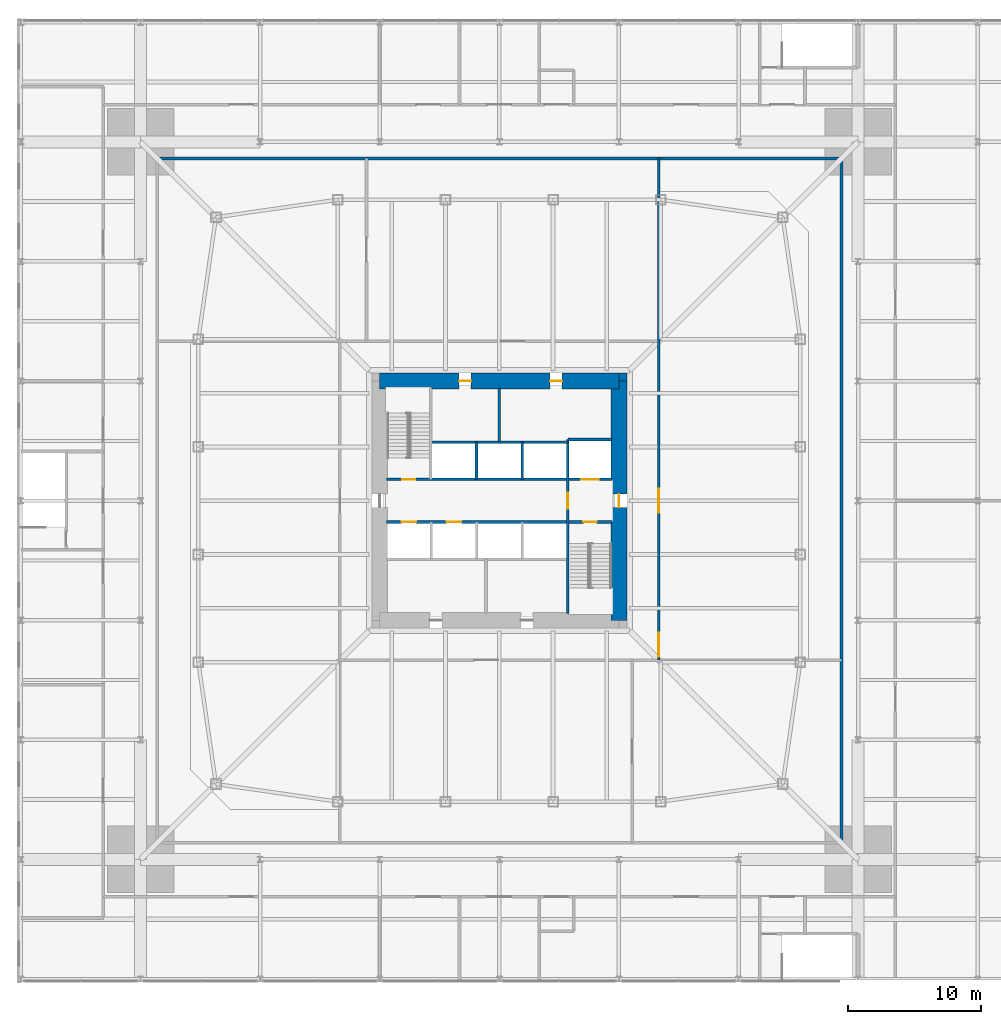
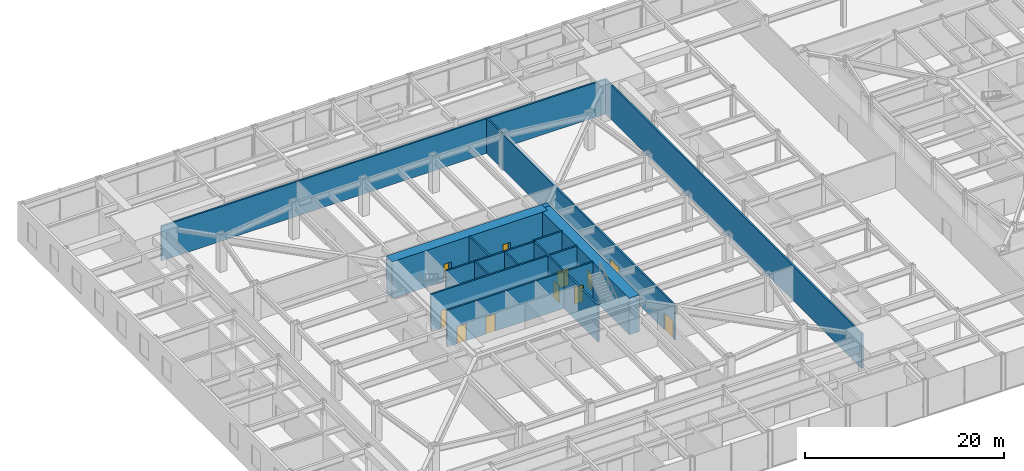
# One storey, part 22 of 30: 14 walls, 11 doors, 11 openings.
"""IFC4 building model written with IfcOpenShell, lengths in metres."""

from ifc_helpers import new_model, si_unit, direction, frame, frame_2d, origin, place, context, subcontext, project, spatial, rectangle, extrude, material, layer, layer_set, type_object, element, fill, save


model = new_model("IFC4")

# Units and contexts
model_context = context("Model", 3, precision=1e-05, world=origin(), true_north=direction((0.0, 1.0)))
body_context = subcontext(model_context, "Body", "Model", "MODEL_VIEW")
ifc_project = project(units=[si_unit("LENGTHUNIT", "METRE"), si_unit("AREAUNIT", "SQUARE_METRE"), si_unit("VOLUMEUNIT", "CUBIC_METRE"), si_unit("PLANEANGLEUNIT", "RADIAN"), si_unit("MASSUNIT", "GRAM", prefix="KILO")], contexts=[model_context])

# Site, building, storey
site_placement = place(None, origin())
site = spatial("IfcSite", under=ifc_project, at=site_placement, CompositionType="ELEMENT")
building_placement = place(site_placement, origin())
building = spatial("IfcBuilding", under=site, at=building_placement, Name="Iwan Alto Co-Living Towers", CompositionType="ELEMENT")
storey_placement = place(building_placement, frame((0.0, 0.0, 10.5)))
storey = spatial("IfcBuildingStorey", under=building, at=storey_placement, Name="L02", CompositionType="ELEMENT", Elevation=10.5)

# Walls
ifc_material_1 = material(Name="Concrete block masonry f*p 10 MPa", Category="masonry")
ifc_layer_1 = layer(ifc_material_1, 0.199951171875)
ifc_layer_set_1 = layer_set([ifc_layer_1], Name="PODIUM INTERNAL WALL 200")
wall_type_1 = type_object("IfcWallType", Name="PODIUM INTERNAL WALL 200", PredefinedType="SOLIDWALL", material=ifc_layer_set_1)
for number, where, z_axis, x_axis, name in (
    (1, (-25.75, 25.75, 0.0), (0.0, 0.0, 1.0), (1.0, 0.0, 0.0), "Partition L02"),
    (2, (25.75, -25.75, 0.0), (0.0, 0.0, 1.0), (0.0, 1.0, 0.0), "Partition L02"),
):
    element("IfcWall", number, at=place(storey_placement, frame(where, z_axis=z_axis, x_axis=x_axis)), inside=storey, type_object=wall_type_1, Name=name, PredefinedType="SOLIDWALL", context=body_context, shape_type="SweptSolid", body=[
        extrude(rectangle(XDim=51.5, YDim=0.199951171875, at=frame_2d((25.75, 0.0))), origin(), (0.0, 0.0, 1.0), 4.25),
    ])

# Wall, openings, doors
wall_1_placement = place(storey_placement, frame((12.0, -12.0, 0.0), z_axis=(0.0, 0.0, 1.0), x_axis=(0.0, 1.0, 0.0)))
wall_1 = element("IfcWall", 3, at=wall_1_placement, inside=storey, type_object=wall_type_1, Name="Partition L02", PredefinedType="SOLIDWALL", context=body_context, shape_type="SweptSolid", body=[
    extrude(rectangle(XDim=37.75, YDim=0.199951171875, at=frame_2d((18.875, 0.0))), origin(), (0.0, 0.0, 1.0), 4.25),
])
opening_1_placement = place(wall_1_placement, frame((11.10009765625, 0.0, 0.0)))
opening_1 = element("IfcOpeningElement", 4, at=opening_1_placement, cuts=wall_1, Name="Opening D9", PredefinedType="OPENING", context=body_context, shape_type="SweptSolid", body=[
    extrude(rectangle(XDim=1.800048828125, YDim=2.10009765625, at=frame_2d((0.89990234375, 1.050048828125))), frame((0.0, 0.10986328125, 0.0), z_axis=(0.0, -1.0, 0.0), x_axis=(1.0, 0.0, 0.0)), (0.0, 0.0, 1.0), 0.219970703125),
])
opening_2_placement = place(wall_1_placement, frame((0.25, 0.0, 0.0)))
opening_2 = element("IfcOpeningElement", 5, at=opening_2_placement, cuts=wall_1, Name="Opening D9", PredefinedType="OPENING", context=body_context, shape_type="SweptSolid", body=[
    extrude(rectangle(XDim=1.800048828125, YDim=2.10009765625, at=frame_2d((0.89990234375, 1.050048828125))), frame((0.0, 0.10986328125, 0.0), z_axis=(0.0, -1.0, 0.0), x_axis=(1.0, 0.0, 0.0)), (0.0, 0.0, 1.0), 0.219970703125),
])
ifc_material_2 = material(Name="Steel frame with timber leaf", Category="steel")
door_type_1 = type_object("IfcDoorType", Name="LOUNGE DOOR FD30S 1800X2100", OperationType="DOUBLE_DOOR_SINGLE_SWING", PredefinedType="DOOR", material=ifc_material_2)
door_1_placement = place(opening_1_placement, frame((1.800048828125, 0.0, 0.0), z_axis=(0.0, 0.0, 1.0), x_axis=(-1.0, 0.0, 0.0)))
door_1 = element("IfcDoor", 6, at=door_1_placement, inside=storey, type_object=door_type_1, Name="Corridor door L02", OperationType="DOUBLE_DOOR_SINGLE_SWING", OverallHeight=2.10009765625, OverallWidth=1.800048828125, PredefinedType="DOOR", context=body_context, shape_type="SweptSolid", body=[
    extrude(rectangle(XDim=1.800048828125, YDim=2.10009765625, at=frame_2d((0.89990234375, 1.050048828125))), frame((0.0, 0.02490234375, 0.0), z_axis=(0.0, -1.0, 0.0), x_axis=(1.0, 0.0, 0.0)), (0.0, 0.0, 1.0), 0.050048828125),
])
fill(opening_1, door_1)
door_2_placement = place(opening_2_placement, frame((1.800048828125, 0.0, 0.0), z_axis=(0.0, 0.0, 1.0), x_axis=(-1.0, 0.0, 0.0)))
door_2 = element("IfcDoor", 7, at=door_2_placement, inside=storey, type_object=door_type_1, Name="Residents' study hall door L02", OperationType="DOUBLE_DOOR_SINGLE_SWING", OverallHeight=2.10009765625, OverallWidth=1.800048828125, PredefinedType="DOOR", context=body_context, shape_type="SweptSolid", body=[
    extrude(rectangle(XDim=1.800048828125, YDim=2.10009765625, at=frame_2d((0.89990234375, 1.050048828125))), frame((0.0, 0.02490234375, 0.0), z_axis=(0.0, -1.0, 0.0), x_axis=(1.0, 0.0, 0.0)), (0.0, 0.0, 1.0), 0.050048828125),
])
fill(opening_2, door_2)

ifc_material_3 = material(Name="Concrete f'c 70 MPa", Category="concrete")
ifc_layer_2 = layer(ifc_material_3, 0.199951171875)
ifc_layer_set_2 = layer_set([ifc_layer_2], Name="SHAFT WALL 200")
wall_type_2 = type_object("IfcWallType", Name="SHAFT WALL 200", PredefinedType="SOLIDWALL", material=ifc_layer_set_2)
wall_2_placement = place(storey_placement, frame((-8.489990234375, -1.60009765625, 0.0), z_axis=(0.0, 0.0, 1.0), x_axis=(1.0, 0.0, 0.0)))
wall_2 = element("IfcWall", 8, at=wall_2_placement, inside=storey, type_object=wall_type_2, Name="Shaft wall L02", PredefinedType="SOLIDWALL", context=body_context, shape_type="SweptSolid", body=[
    extrude(rectangle(XDim=16.97998046875, YDim=0.199951171875, at=frame_2d((8.489990234375, 0.0))), origin(), (0.0, 0.0, 1.0), 4.5),
])
opening_3_placement = place(wall_2_placement, frame((14.81005859375, 0.0, 0.0)))
opening_3 = element("IfcOpeningElement", 9, at=opening_3_placement, cuts=wall_2, Name="Opening D5", PredefinedType="OPENING", context=body_context, shape_type="SweptSolid", body=[
    extrude(rectangle(XDim=1.0, YDim=2.10009765625, at=frame_2d((0.5, 1.050048828125))), frame((0.0, 0.10986328125, 0.0), z_axis=(0.0, -1.0, 0.0), x_axis=(1.0, 0.0, 0.0)), (0.0, 0.0, 1.0), 0.219970703125),
])
opening_4_placement = place(wall_2_placement, frame((1.133056640625, 0.0, 0.0)))
opening_4 = element("IfcOpeningElement", 10, at=opening_4_placement, cuts=wall_2, Name="Opening LD", PredefinedType="OPENING", context=body_context, shape_type="SweptSolid", body=[
    extrude(rectangle(XDim=1.10009765625, YDim=2.10009765625, at=frame_2d((0.550048828125, 1.050048828125))), frame((0.0, 0.10986328125, 0.0), z_axis=(0.0, -1.0, 0.0), x_axis=(1.0, 0.0, 0.0)), (0.0, 0.0, 1.0), 0.219970703125),
])
opening_5_placement = place(wall_2_placement, frame((4.528076171875, 0.0, 0.0)))
opening_5 = element("IfcOpeningElement", 11, at=opening_5_placement, cuts=wall_2, Name="Opening LD", PredefinedType="OPENING", context=body_context, shape_type="SweptSolid", body=[
    extrude(rectangle(XDim=1.10009765625, YDim=2.10009765625, at=frame_2d((0.550048828125, 1.050048828125))), frame((0.0, 0.10986328125, 0.0), z_axis=(0.0, -1.0, 0.0), x_axis=(1.0, 0.0, 0.0)), (0.0, 0.0, 1.0), 0.219970703125),
])
ifc_material_4 = material(Name="Steel frame with timber leaf", Category="steel")
door_type_2 = type_object("IfcDoorType", Name="LIFT LANDING DOOR 1100X2100", OperationType="DOUBLE_DOOR_SLIDING", PredefinedType="DOOR", material=ifc_material_4)
door_3_placement = place(opening_4_placement, origin())
door_3 = element("IfcDoor", 12, at=door_3_placement, inside=storey, type_object=door_type_2, Name="Lift P1-1 landing door L02", OperationType="DOUBLE_DOOR_SLIDING", OverallHeight=2.10009765625, OverallWidth=1.10009765625, PredefinedType="DOOR", context=body_context, shape_type="SweptSolid", body=[
    extrude(rectangle(XDim=1.10009765625, YDim=2.10009765625, at=frame_2d((0.550048828125, 1.050048828125))), frame((0.0, 0.02490234375, 0.0), z_axis=(0.0, -1.0, 0.0), x_axis=(1.0, 0.0, 0.0)), (0.0, 0.0, 1.0), 0.050048828125),
])
fill(opening_4, door_3)
door_4_placement = place(opening_5_placement, origin())
door_4 = element("IfcDoor", 13, at=door_4_placement, inside=storey, type_object=door_type_2, Name="Lift P1-2 landing door L02", OperationType="DOUBLE_DOOR_SLIDING", OverallHeight=2.10009765625, OverallWidth=1.10009765625, PredefinedType="DOOR", context=body_context, shape_type="SweptSolid", body=[
    extrude(rectangle(XDim=1.10009765625, YDim=2.10009765625, at=frame_2d((0.550048828125, 1.050048828125))), frame((0.0, 0.02490234375, 0.0), z_axis=(0.0, -1.0, 0.0), x_axis=(1.0, 0.0, 0.0)), (0.0, 0.0, 1.0), 0.050048828125),
])
fill(opening_5, door_4)
ifc_material_5 = material(Name="Steel frame with timber leaf", Category="steel")
door_type_3 = type_object("IfcDoorType", Name="STAIR DOOR FD120S 1000X2100", OperationType="SINGLE_SWING_LEFT", PredefinedType="DOOR", material=ifc_material_5)
door_5_placement = place(opening_3_placement, frame((1.0, 0.0, 0.0), z_axis=(0.0, 0.0, 1.0), x_axis=(-1.0, 0.0, 0.0)))
door_5 = element("IfcDoor", 14, at=door_5_placement, inside=storey, type_object=door_type_3, Name="Stair S2 door L02", OperationType="SINGLE_SWING_RIGHT", OverallHeight=2.10009765625, OverallWidth=1.0, PredefinedType="DOOR", context=body_context, shape_type="SweptSolid", body=[
    extrude(rectangle(XDim=1.0, YDim=2.10009765625, at=frame_2d((0.5, 1.050048828125))), frame((0.0, 0.02490234375, 0.0), z_axis=(0.0, -1.0, 0.0), x_axis=(1.0, 0.0, 0.0)), (0.0, 0.0, 1.0), 0.050048828125),
])
fill(opening_3, door_5)

wall_3_placement = place(storey_placement, frame((-8.489990234375, 1.60009765625, 0.0), z_axis=(0.0, 0.0, 1.0), x_axis=(1.0, 0.0, 0.0)))
wall_3 = element("IfcWall", 15, at=wall_3_placement, inside=storey, type_object=wall_type_2, Name="Shaft wall L02", PredefinedType="SOLIDWALL", context=body_context, shape_type="SweptSolid", body=[
    extrude(rectangle(XDim=16.97998046875, YDim=0.199951171875, at=frame_2d((8.489990234375, 0.0))), origin(), (0.0, 0.0, 1.0), 4.5),
])
opening_6_placement = place(wall_3_placement, frame((1.169921875, 0.0, 0.0)))
opening_6 = element("IfcOpeningElement", 16, at=opening_6_placement, cuts=wall_3, Name="Opening D5", PredefinedType="OPENING", context=body_context, shape_type="SweptSolid", body=[
    extrude(rectangle(XDim=1.0, YDim=2.10009765625, at=frame_2d((0.5, 1.050048828125))), frame((0.0, 0.10986328125, 0.0), z_axis=(0.0, -1.0, 0.0), x_axis=(1.0, 0.0, 0.0)), (0.0, 0.0, 1.0), 0.219970703125),
])
opening_7_placement = place(wall_3_placement, frame((14.659912109375, 0.0, 0.0)))
opening_7 = element("IfcOpeningElement", 17, at=opening_7_placement, cuts=wall_3, Name="Opening LD2", PredefinedType="OPENING", context=body_context, shape_type="SweptSolid", body=[
    extrude(rectangle(XDim=1.300048828125, YDim=2.10009765625, at=frame_2d((0.64990234375, 1.050048828125))), frame((0.0, 0.10986328125, 0.0), z_axis=(0.0, -1.0, 0.0), x_axis=(1.0, 0.0, 0.0)), (0.0, 0.0, 1.0), 0.219970703125),
])
ifc_material_6 = material(Name="Steel frame with timber leaf", Category="steel")
door_type_4 = type_object("IfcDoorType", Name="LIFT LANDING DOOR 1300X2100", OperationType="SLIDING_TO_LEFT", PredefinedType="DOOR", material=ifc_material_6)
door_6_placement = place(opening_7_placement, origin())
door_6 = element("IfcDoor", 18, at=door_6_placement, inside=storey, type_object=door_type_4, Name="Lift FL1 landing door L02", OperationType="SLIDING_TO_LEFT", OverallHeight=2.10009765625, OverallWidth=1.300048828125, PredefinedType="DOOR", context=body_context, shape_type="SweptSolid", body=[
    extrude(rectangle(XDim=1.300048828125, YDim=2.10009765625, at=frame_2d((0.64990234375, 1.050048828125))), frame((0.0, 0.02490234375, 0.0), z_axis=(0.0, -1.0, 0.0), x_axis=(1.0, 0.0, 0.0)), (0.0, 0.0, 1.0), 0.050048828125),
])
fill(opening_7, door_6)
door_7_placement = place(opening_6_placement, origin())
door_7 = element("IfcDoor", 19, at=door_7_placement, inside=storey, type_object=door_type_3, Name="Stair S1 door L02", OperationType="SINGLE_SWING_RIGHT", OverallHeight=2.10009765625, OverallWidth=1.0, PredefinedType="DOOR", context=body_context, shape_type="SweptSolid", body=[
    extrude(rectangle(XDim=1.0, YDim=2.10009765625, at=frame_2d((0.5, 1.050048828125))), frame((0.0, 0.02490234375, 0.0), z_axis=(0.0, -1.0, 0.0), x_axis=(1.0, 0.0, 0.0)), (0.0, 0.0, 1.0), 0.050048828125),
])
fill(opening_6, door_7)

# Walls
wall_4_placement = place(storey_placement, frame((-5.14990234375, 4.39990234375, 0.0), z_axis=(0.0, 0.0, 1.0), x_axis=(1.0, 0.0, 0.0)))
element("IfcWall", 20, at=wall_4_placement, inside=storey, type_object=wall_type_2, Name="Shaft wall L02", PredefinedType="SOLIDWALL", context=body_context, shape_type="SweptSolid", body=[
    extrude(rectangle(XDim=10.2998046875, YDim=0.199951171875, at=frame_2d((5.14990234375, 0.0))), origin(), (0.0, 0.0, 1.0), 4.5),
])
wall_5_placement = place(storey_placement, frame((5.14990234375, 4.60009765625, 0.0), z_axis=(0.0, 0.0, 1.0), x_axis=(1.0, 0.0, 0.0)))
element("IfcWall", 21, at=wall_5_placement, inside=storey, type_object=wall_type_2, Name="Shaft wall L02", PredefinedType="SOLIDWALL", context=body_context, shape_type="SweptSolid", body=[
    extrude(rectangle(XDim=3.340087890625, YDim=0.199951171875, at=frame_2d((1.669921875, 0.0))), origin(), (0.0, 0.0, 1.0), 4.5),
])

# Wall, opening, door
wall_6_placement = place(storey_placement, frame((5.14990234375, -8.489990234375, 0.0), z_axis=(0.0, 0.0, 1.0), x_axis=(0.0, 1.0, 0.0)))
wall_6 = element("IfcWall", 22, at=wall_6_placement, inside=storey, type_object=wall_type_2, Name="Shaft wall L02", PredefinedType="SOLIDWALL", context=body_context, shape_type="SweptSolid", body=[
    extrude(rectangle(XDim=13.090087890625, YDim=0.199951171875, at=frame_2d((6.544921875, 0.0))), origin(), (0.0, 0.0, 1.0), 4.5),
])
opening_8_placement = place(wall_6_placement, frame((7.889892578125, 0.0, 0.0)))
opening_8 = element("IfcOpeningElement", 23, at=opening_8_placement, cuts=wall_6, Name="Opening D6", PredefinedType="OPENING", context=body_context, shape_type="SweptSolid", body=[
    extrude(rectangle(XDim=1.199951171875, YDim=2.10009765625, at=frame_2d((0.60009765625, 1.050048828125))), frame((0.0, 0.10986328125, 0.0), z_axis=(0.0, -1.0, 0.0), x_axis=(1.0, 0.0, 0.0)), (0.0, 0.0, 1.0), 0.219970703125),
])
ifc_material_7 = material(Name="Steel frame with timber leaf", Category="steel")
door_type_5 = type_object("IfcDoorType", Name="LOBBY DOOR FD120S 1200X2100", OperationType="SINGLE_SWING_LEFT", PredefinedType="DOOR", material=ifc_material_7)
door_8_placement = place(opening_8_placement, frame((1.199951171875, 0.0, 0.0), z_axis=(0.0, 0.0, 1.0), x_axis=(-1.0, 0.0, 0.0)))
door_8 = element("IfcDoor", 24, at=door_8_placement, inside=storey, type_object=door_type_5, Name="Firefighting lobby door L02", OperationType="SINGLE_SWING_RIGHT", OverallHeight=2.10009765625, OverallWidth=1.199951171875, PredefinedType="DOOR", context=body_context, shape_type="SweptSolid", body=[
    extrude(rectangle(XDim=1.199951171875, YDim=2.10009765625, at=frame_2d((0.60009765625, 1.050048828125))), frame((0.0, 0.02490234375, 0.0), z_axis=(0.0, -1.0, 0.0), x_axis=(1.0, 0.0, 0.0)), (0.0, 0.0, 1.0), 0.050048828125),
])
fill(opening_8, door_8)

# Walls
wall_7_placement = place(storey_placement, frame((1.717041015625, 1.60009765625, 0.0), z_axis=(0.0, 0.0, 1.0), x_axis=(0.0, 1.0, 0.0)))
element("IfcWall", 25, at=wall_7_placement, inside=storey, type_object=wall_type_2, Name="Shaft wall L02", PredefinedType="SOLIDWALL", context=body_context, shape_type="SweptSolid", body=[
    extrude(rectangle(XDim=2.7998046875, YDim=0.199951171875, at=frame_2d((1.39990234375, 0.0))), origin(), (0.0, 0.0, 1.0), 4.5),
])
wall_8_placement = place(storey_placement, frame((0.0, 4.39990234375, 0.0), z_axis=(0.0, 0.0, 1.0), x_axis=(0.0, 1.0, 0.0)))
element("IfcWall", 26, at=wall_8_placement, inside=storey, type_object=wall_type_2, Name="Shaft wall L02", PredefinedType="SOLIDWALL", context=body_context, shape_type="SweptSolid", body=[
    extrude(rectangle(XDim=4.090087890625, YDim=0.199951171875, at=frame_2d((2.044921875, 0.0))), origin(), (0.0, 0.0, 1.0), 4.5),
])
wall_9_placement = place(storey_placement, frame((-1.717041015625, 1.60009765625, 0.0), z_axis=(0.0, 0.0, 1.0), x_axis=(0.0, 1.0, 0.0)))
element("IfcWall", 27, at=wall_9_placement, inside=storey, type_object=wall_type_2, Name="Shaft wall L02", PredefinedType="SOLIDWALL", context=body_context, shape_type="SweptSolid", body=[
    extrude(rectangle(XDim=2.7998046875, YDim=0.199951171875, at=frame_2d((1.39990234375, 0.0))), origin(), (0.0, 0.0, 1.0), 4.5),
])
ifc_material_8 = material(Name="Concrete f'c 70 MPa", Category="concrete")
ifc_layer_3 = layer(ifc_material_8, 0.60009765625)
ifc_layer_set_3 = layer_set([ifc_layer_3], Name="T1 CORE CORNER FILL 600")
wall_type_3 = type_object("IfcWallType", Name="T1 CORE CORNER FILL 600", PredefinedType="SOLIDWALL", material=ifc_layer_set_3)
wall_10_placement = place(storey_placement, frame((9.0, 9.300048828125, 0.0), z_axis=(0.0, 0.0, 1.0), x_axis=(1.0, 0.0, 0.0)))
element("IfcWall", 28, at=wall_10_placement, inside=storey, type_object=wall_type_3, Name="T1 core corner NE L02", PredefinedType="SOLIDWALL", context=body_context, shape_type="SweptSolid", body=[
    extrude(rectangle(XDim=0.60009765625, YDim=0.60009765625, at=frame_2d((0.300048828125, 0.0))), origin(), (0.0, 0.0, 1.0), 4.5),
])

# Wall, openings, doors
ifc_material_9 = material(Name="Concrete f'c 70 MPa", Category="concrete")
ifc_layer_4 = layer(ifc_material_9, 1.199951171875)
ifc_layer_set_4 = layer_set([ifc_layer_4], Name="T1 CORE WALL 1200")
wall_type_4 = type_object("IfcWallType", Name="T1 CORE WALL 1200", PredefinedType="SHEAR", material=ifc_layer_set_4)
wall_11_placement = place(storey_placement, frame((9.0, 9.0, 0.0), z_axis=(0.0, 0.0, 1.0), x_axis=(-1.0, 0.0, 0.0)))
wall_11 = element("IfcWall", 29, at=wall_11_placement, inside=storey, type_object=wall_type_4, Name="T1 core wall N L02", PredefinedType="SHEAR", context=body_context, shape_type="SweptSolid", body=[
    extrude(rectangle(XDim=18.0, YDim=1.199951171875, at=frame_2d((9.0, 0.0))), origin(), (0.0, 0.0, 1.0), 4.5),
])
opening_9_placement = place(wall_11_placement, frame((11.125, 0.0, 0.0)))
opening_9 = element("IfcOpeningElement", 30, at=opening_9_placement, cuts=wall_11, Name="Opening D8", PredefinedType="OPENING", context=body_context, shape_type="SweptSolid", body=[
    extrude(rectangle(XDim=0.89990234375, YDim=2.10009765625, at=frame_2d((0.449951171875, 1.050048828125))), frame((0.0, 0.60986328125, 0.0), z_axis=(0.0, -1.0, 0.0), x_axis=(1.0, 0.0, 0.0)), (0.0, 0.0, 1.0), 1.219970703125),
])
opening_10_placement = place(wall_11_placement, frame((4.27490234375, 0.0, 0.0)))
opening_10 = element("IfcOpeningElement", 31, at=opening_10_placement, cuts=wall_11, Name="Opening D8", PredefinedType="OPENING", context=body_context, shape_type="SweptSolid", body=[
    extrude(rectangle(XDim=0.89990234375, YDim=2.10009765625, at=frame_2d((0.449951171875, 1.050048828125))), frame((0.0, 0.60986328125, 0.0), z_axis=(0.0, -1.0, 0.0), x_axis=(1.0, 0.0, 0.0)), (0.0, 0.0, 1.0), 1.219970703125),
])
ifc_material_10 = material(Name="Steel frame with timber leaf", Category="steel")
door_type_6 = type_object("IfcDoorType", Name="RISER DOOR FD120 900X2100", OperationType="SINGLE_SWING_LEFT", PredefinedType="DOOR", material=ifc_material_10)
door_9_placement = place(opening_9_placement, origin())
door_9 = element("IfcDoor", 32, at=door_9_placement, inside=storey, type_object=door_type_6, Name="Electrical riser core door L02", OperationType="SINGLE_SWING_RIGHT", OverallHeight=2.10009765625, OverallWidth=0.89990234375, PredefinedType="DOOR", context=body_context, shape_type="SweptSolid", body=[
    extrude(rectangle(XDim=0.89990234375, YDim=2.10009765625, at=frame_2d((0.449951171875, 1.050048828125))), frame((0.0, 0.02490234375, 0.0), z_axis=(0.0, -1.0, 0.0), x_axis=(1.0, 0.0, 0.0)), (0.0, 0.0, 1.0), 0.050048828125),
])
fill(opening_9, door_9)
door_10_placement = place(opening_10_placement, origin())
door_10 = element("IfcDoor", 33, at=door_10_placement, inside=storey, type_object=door_type_6, Name="Water and drainage riser core door L02", OperationType="SINGLE_SWING_RIGHT", OverallHeight=2.10009765625, OverallWidth=0.89990234375, PredefinedType="DOOR", context=body_context, shape_type="SweptSolid", body=[
    extrude(rectangle(XDim=0.89990234375, YDim=2.10009765625, at=frame_2d((0.449951171875, 1.050048828125))), frame((0.0, 0.02490234375, 0.0), z_axis=(0.0, -1.0, 0.0), x_axis=(1.0, 0.0, 0.0)), (0.0, 0.0, 1.0), 0.050048828125),
])
fill(opening_10, door_10)

# Wall, opening, door
wall_12_placement = place(storey_placement, frame((9.0, -9.0, 0.0), z_axis=(0.0, 0.0, 1.0), x_axis=(0.0, 1.0, 0.0)))
wall_12 = element("IfcWall", 34, at=wall_12_placement, inside=storey, type_object=wall_type_4, Name="T1 core wall E L02", PredefinedType="SHEAR", context=body_context, shape_type="SweptSolid", body=[
    extrude(rectangle(XDim=18.0, YDim=1.199951171875, at=frame_2d((9.0, 0.0))), origin(), (0.0, 0.0, 1.0), 4.5),
])
opening_11_placement = place(wall_12_placement, frame((8.5, 0.0, 0.0)))
opening_11 = element("IfcOpeningElement", 35, at=opening_11_placement, cuts=wall_12, Name="Opening D7", PredefinedType="OPENING", context=body_context, shape_type="SweptSolid", body=[
    extrude(rectangle(XDim=1.0, YDim=2.10009765625, at=frame_2d((0.5, 1.050048828125))), frame((0.0, 0.60986328125, 0.0), z_axis=(0.0, -1.0, 0.0), x_axis=(1.0, 0.0, 0.0)), (0.0, 0.0, 1.0), 1.219970703125),
])
ifc_material_11 = material(Name="Steel frame with timber leaf", Category="steel")
door_type_7 = type_object("IfcDoorType", Name="CORE DOOR FD120S 1000X2100", OperationType="SINGLE_SWING_LEFT", PredefinedType="DOOR", material=ifc_material_11)
door_11_placement = place(opening_11_placement, origin())
door_11 = element("IfcDoor", 36, at=door_11_placement, inside=storey, type_object=door_type_7, Name="Firefighting lobby core door L02", OperationType="SINGLE_SWING_LEFT", OverallHeight=2.10009765625, OverallWidth=1.0, PredefinedType="DOOR", context=body_context, shape_type="SweptSolid", body=[
    extrude(rectangle(XDim=1.0, YDim=2.10009765625, at=frame_2d((0.5, 1.050048828125))), frame((0.0, 0.02490234375, 0.0), z_axis=(0.0, -1.0, 0.0), x_axis=(1.0, 0.0, 0.0)), (0.0, 0.0, 1.0), 0.050048828125),
])
fill(opening_11, door_11)

save(model, "model.ifc")
